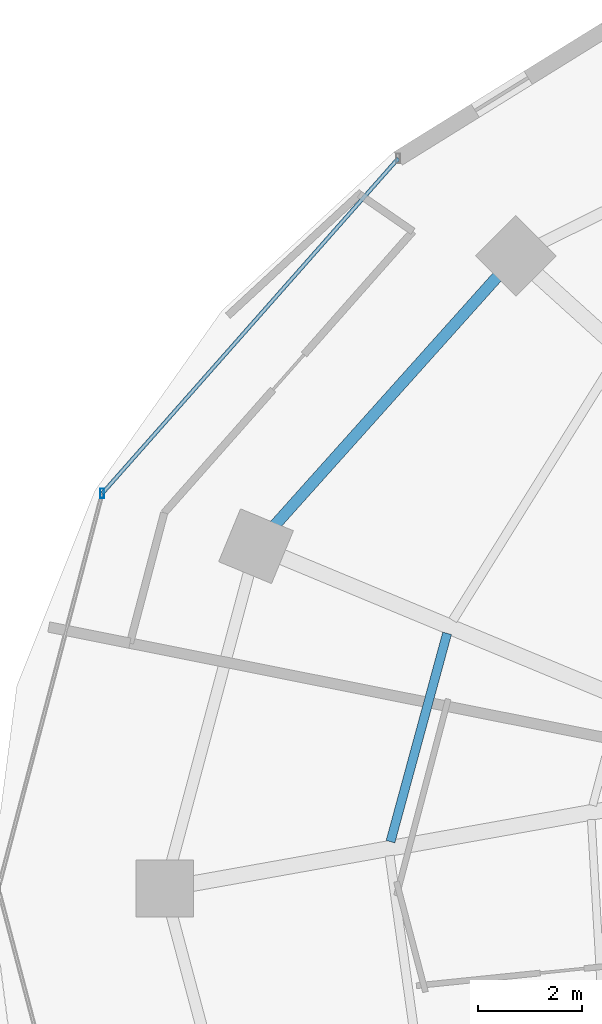
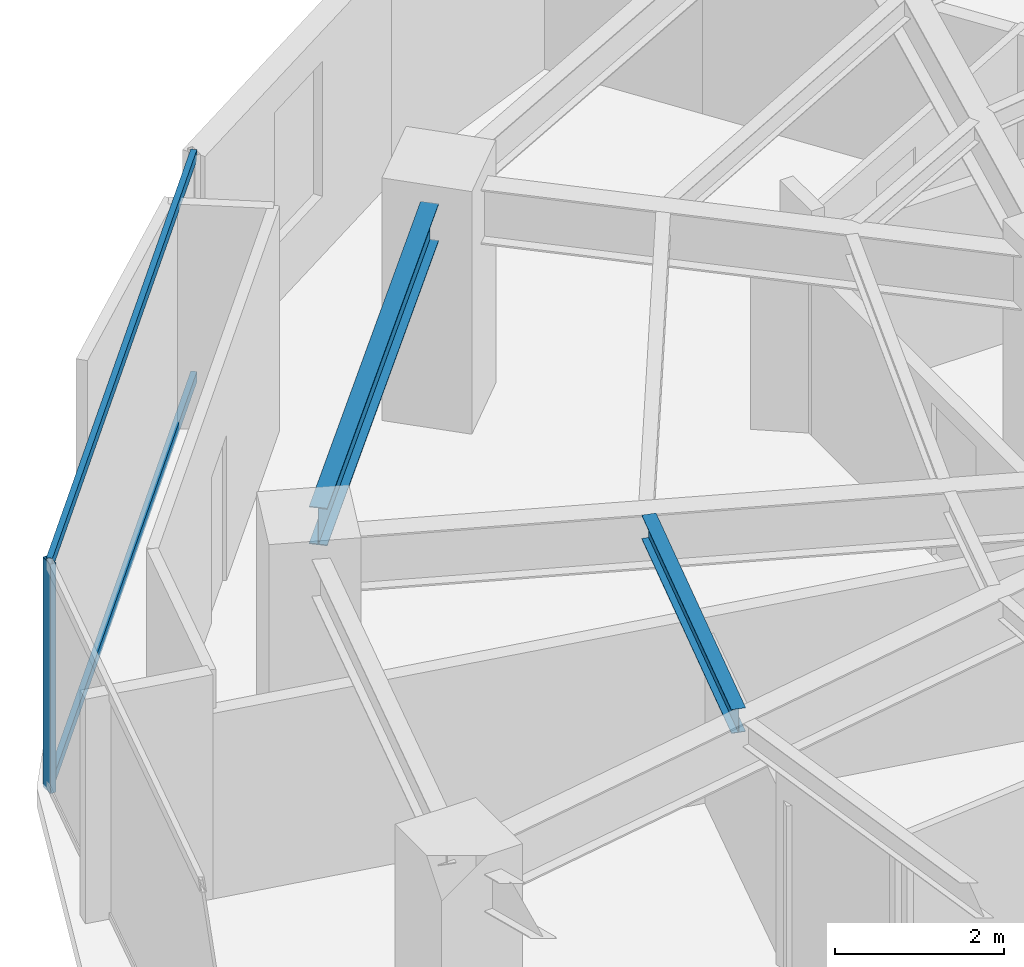
# One storey, part 9 of 30: 3 members, 2 beams, 1 element without a shape of its own.
"""IFC4 building model written with IfcOpenShell, lengths in metres."""

from ifc_helpers import new_model, si_unit, direction, frame, origin, origin_2d, place, context, subcontext, project, spatial, hollow_rectangle, i_section, extrude, material, material_profile, profile_set, type_object, element, aggregate, save


model = new_model("IFC4")

# Units and contexts
model_context = context("Model", 3, precision=1e-05, world=origin(), true_north=direction((0.0, 1.0)))
body_context = subcontext(model_context, "Body", "Model", "MODEL_VIEW")
ifc_project = project(units=[si_unit("LENGTHUNIT", "METRE"), si_unit("AREAUNIT", "SQUARE_METRE"), si_unit("VOLUMEUNIT", "CUBIC_METRE"), si_unit("PLANEANGLEUNIT", "RADIAN"), si_unit("MASSUNIT", "GRAM", prefix="KILO")], contexts=[model_context])

# Site, building, storey
site_placement = place(None, origin())
site = spatial("IfcSite", under=ifc_project, at=site_placement, CompositionType="ELEMENT")
building_placement = place(site_placement, origin())
building = spatial("IfcBuilding", under=site, at=building_placement, Name="Vorneva Point Tower", CompositionType="ELEMENT")
storey_placement = place(building_placement, frame((0.0, 0.0, 78.800048828125)))
storey = spatial("IfcBuildingStorey", under=building, at=storey_placement, Name="L20", CompositionType="ELEMENT", Elevation=78.800048828125)

# Beams
ifc_material_1 = material(Name="Steel S355", Category="steel")
ifc_material_profile_1 = material_profile(ifc_material_1, i_section(OverallWidth=0.174072265625, OverallDepth=0.345947265625, WebThickness=0.006103515625, FlangeThickness=0.009033203125, at=origin_2d()), Name="35B1")
ifc_profile_set_1 = profile_set([ifc_material_profile_1], Name="Steel S355")
beam_type_1 = type_object("IfcBeamType", Name="BM-SEC-35B1", PredefinedType="BEAM", material=ifc_profile_set_1)
beam_1_placement = place(storey_placement, frame((20.377685546875, 30.90771484375, 3.06689453125), z_axis=(-0.262196401448, -0.96501453205, 0.0), x_axis=(0.96501453205, -0.262196401448, 0.0)))
element("IfcBeam", 1, at=beam_1_placement, inside=storey, type_object=beam_type_1, Name="L20 Secondary Floor Beam 1.08", PredefinedType="BEAM", context=body_context, shape_type="SweptSolid", body=[
    extrude(i_section(OverallWidth=0.174072265625, OverallDepth=0.345947265625, WebThickness=0.006103515625, FlangeThickness=0.009033203125, at=origin_2d()), origin(), (0.0, 0.0, 1.0), 4.150146484375),
])
ifc_material_profile_2 = material_profile(ifc_material_1, i_section(OverallWidth=0.219970703125, OverallDepth=0.54296875, WebThickness=0.009521484375, FlangeThickness=0.013427734375, at=origin_2d()), Name="55B1")
ifc_profile_set_2 = profile_set([ifc_material_profile_2], Name="Steel S355")
beam_type_2 = type_object("IfcBeamType", Name="BM-SPN-55B1", PredefinedType="SPANDREL", material=ifc_profile_set_2)
beam_2_placement = place(storey_placement, frame((21.34423828125, 37.763671875, 2.968505859375), z_axis=(-0.667073815664, -0.744991627105, 0.0), x_axis=(0.744991627105, -0.667073815664, 0.0)))
element("IfcBeam", 2, at=beam_2_placement, inside=storey, type_object=beam_type_2, Name="L20 Perimeter Spandrel Ring Beam 07", PredefinedType="SPANDREL", context=body_context, shape_type="SweptSolid", body=[
    extrude(i_section(OverallWidth=0.219970703125, OverallDepth=0.54296875, WebThickness=0.009521484375, FlangeThickness=0.013427734375, at=origin_2d()), origin(), (0.0, 0.0, 1.0), 6.420166015625),
])

# Curtain wall, members
ifc_material_2 = material(Name="Pale anodised aluminium", Category="aluminium")
curtain_wall_type = type_object("IfcCurtainWallType", Name="CW-HTL-SYS", PredefinedType="NOTDEFINED", material=ifc_material_2)
curtain_wall_placement = place(storey_placement, origin())
curtain_wall = element("IfcCurtainWall", 3, at=curtain_wall_placement, inside=storey, type_object=curtain_wall_type, Name="L20 Unitised Curtain Wall CW-L20-R02", PredefinedType="NOTDEFINED")
ifc_material_profile_3 = material_profile(ifc_material_2, hollow_rectangle(XDim=0.074951171875, YDim=0.179931640625, WallThickness=0.00390625, at=origin_2d()), Name="AL-MUL 180x75x4")
ifc_profile_set_3 = profile_set([ifc_material_profile_3], Name="Pale anodised aluminium")
member_type_1 = type_object("IfcMemberType", Name="CW-MUL-180", PredefinedType="MULLION", material=ifc_profile_set_3)
member_1_placement = place(storey_placement, frame((13.748291015625, 33.59619140625, -0.0400390625), z_axis=(0.0, 0.0, 1.0), x_axis=(1.0, 0.0, 0.0)))
member_1 = element("IfcMember", 4, at=member_1_placement, type_object=member_type_1, Name="CW-L20-R02 Mullion 02", PredefinedType="MULLION", context=body_context, shape_type="SweptSolid", body=[
    extrude(hollow_rectangle(XDim=0.074951171875, YDim=0.179931640625, WallThickness=0.00390625, at=origin_2d()), origin(), (0.0, 0.0, 1.0), 3.31005859375),
])
ifc_material_profile_4 = material_profile(ifc_material_2, hollow_rectangle(XDim=0.074951171875, YDim=0.14990234375, WallThickness=0.00390625, at=origin_2d()), Name="AL-TRN 150x75x4")
ifc_profile_set_4 = profile_set([ifc_material_profile_4], Name="Pale anodised aluminium")
member_type_2 = type_object("IfcMemberType", Name="CW-TRN-150", PredefinedType="USERDEFINED", material=ifc_profile_set_4)
member_2_placement = place(storey_placement, frame((19.4384765625, 40.0361328125, 0.02001953125), z_axis=(-0.662137326257, -0.74938251993, 0.0), x_axis=(0.74938251993, -0.662137326257, 0.0)))
member_2 = element("IfcMember", 5, at=member_2_placement, type_object=member_type_2, Name="CW-L20-R02 Transom 01.1", ObjectType="TRANSOM", PredefinedType="USERDEFINED", context=body_context, shape_type="SweptSolid", body=[
    extrude(hollow_rectangle(XDim=0.074951171875, YDim=0.14990234375, WallThickness=0.00390625, at=origin_2d()), origin(), (0.0, 0.0, 1.0), 8.59375),
])
member_3_placement = place(storey_placement, frame((19.4384765625, 40.0361328125, 3.219970703125), z_axis=(-0.662137326257, -0.74938251993, 0.0), x_axis=(0.74938251993, -0.662137326257, 0.0)))
member_3 = element("IfcMember", 6, at=member_3_placement, type_object=member_type_2, Name="CW-L20-R02 Transom 01.2", ObjectType="TRANSOM", PredefinedType="USERDEFINED", context=body_context, shape_type="SweptSolid", body=[
    extrude(hollow_rectangle(XDim=0.074951171875, YDim=0.14990234375, WallThickness=0.00390625, at=origin_2d()), origin(), (0.0, 0.0, 1.0), 8.59375),
])
aggregate(curtain_wall, [member_1, member_2, member_3])

save(model, "model.ifc")
